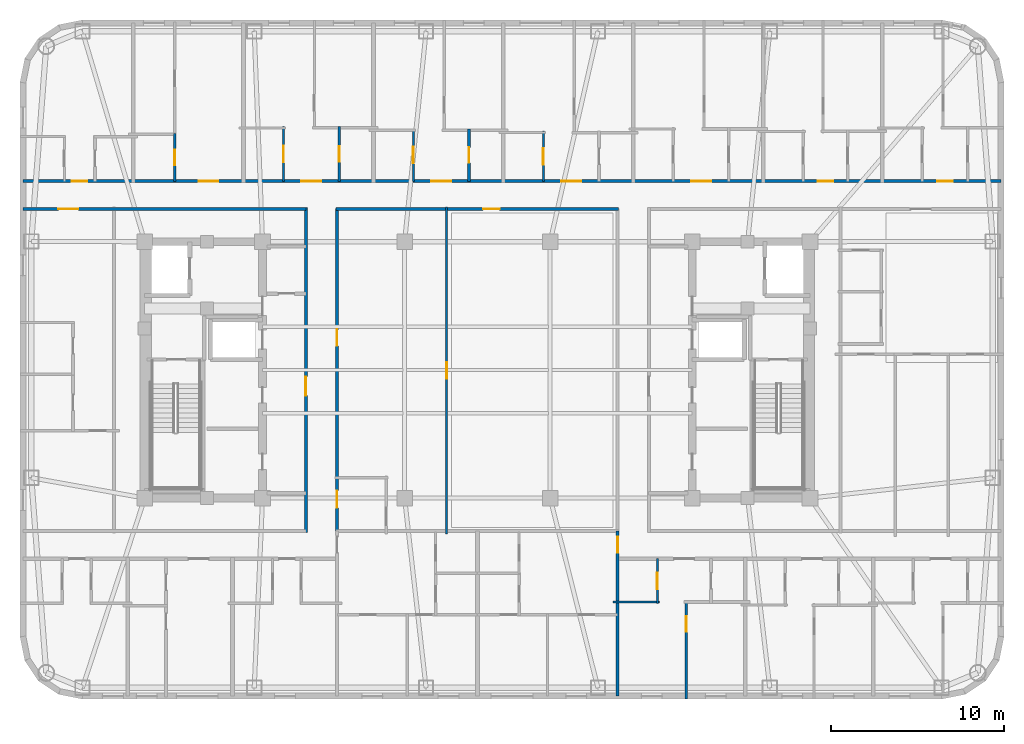
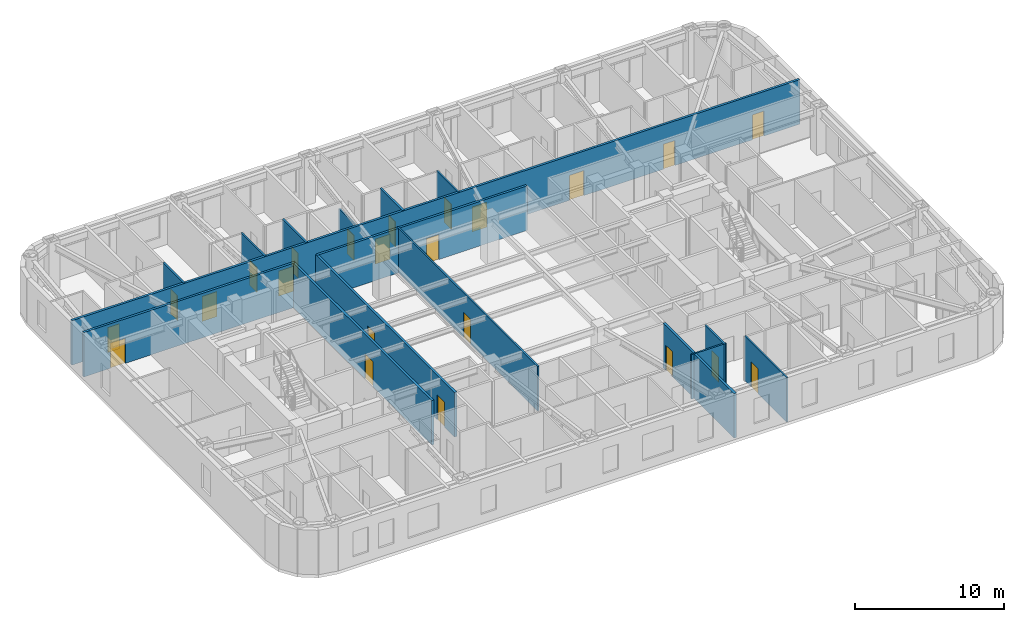
# One storey, part 5 of 11: 23 doors, 16 walls, 23 openings.
"""IFC4 building model written with IfcOpenShell, lengths in metres."""

from ifc_helpers import new_model, si_unit, direction, frame, frame_2d, origin, place, context, subcontext, project, spatial, rectangle, extrude, material, layer, layer_set, type_object, element, fill, save


model = new_model("IFC4")

# Units and contexts
model_context = context("Model", 3, precision=1e-05, world=origin(), true_north=direction((0.0, 1.0)))
body_context = subcontext(model_context, "Body", "Model", "MODEL_VIEW")
ifc_project = project(units=[si_unit("LENGTHUNIT", "METRE"), si_unit("AREAUNIT", "SQUARE_METRE"), si_unit("VOLUMEUNIT", "CUBIC_METRE"), si_unit("PLANEANGLEUNIT", "RADIAN"), si_unit("MASSUNIT", "GRAM", prefix="KILO")], contexts=[model_context])

# Site, building, storey
site_placement = place(None, origin())
site = spatial("IfcSite", under=ifc_project, at=site_placement, CompositionType="ELEMENT")
building_placement = place(site_placement, origin())
building = spatial("IfcBuilding", under=site, at=building_placement, Name="Voryun Gate Residences", CompositionType="ELEMENT")
storey_placement = place(building_placement, frame((0.0, 0.0, 243.10009765625)))
storey = spatial("IfcBuildingStorey", under=building, at=storey_placement, Name="L60", CompositionType="ELEMENT", Elevation=243.10009765625)

# Wall, opening, door
ifc_material_1 = material(Name="Gypsum acoustic fireboard")
ifc_layer_1 = layer(ifc_material_1, 0.179931640625, Name="W_CORR_RATED_180")
ifc_layer_set_1 = layer_set([ifc_layer_1], Name="Gypsum acoustic fireboard")
wall_type_1 = type_object("IfcWallType", Name="W_CORR_RATED_180", PredefinedType="PARTITIONING", material=ifc_layer_set_1)
wall_1_placement = place(storey_placement, frame((-9.89990234375, -9.3798828125, 0.0), z_axis=(0.0, 0.0, 1.0), x_axis=(0.0, 1.0, 0.0)))
wall_1 = element("IfcWall", 1, at=wall_1_placement, inside=storey, type_object=wall_type_1, Name="Partition wall WP-L60-PLBW-FULL", PredefinedType="PARTITIONING", context=body_context, shape_type="SweptSolid", body=[
    extrude(rectangle(XDim=18.759765625, YDim=0.179931640625, at=frame_2d((9.3798828125, 0.0))), origin(), (0.0, 0.0, 1.0), 3.64990234375),
])
opening_1_placement = place(wall_1_placement, frame((7.89208984375, 0.0, 0.0)))
opening_1 = element("IfcOpeningElement", 2, at=opening_1_placement, cuts=wall_1, Name="Opening D-FD60-2", PredefinedType="OPENING", context=body_context, shape_type="SweptSolid", body=[
    extrude(rectangle(XDim=1.10009765625, YDim=2.050048828125, at=frame_2d((0.550048828125, 1.02490234375))), frame((0.0, 0.099853515625, 0.0), z_axis=(0.0, -1.0, 0.0), x_axis=(1.0, 0.0, 0.0)), (0.0, 0.0, 1.0), 0.199951171875),
])
ifc_material_2 = material(Name="Painted steel fire door", Category="steel")
door_type_1 = type_object("IfcDoorType", Name="DR_FD60_FFLOB_1100", OperationType="NOTDEFINED", PredefinedType="DOOR", material=ifc_material_2)
door_1_placement = place(opening_1_placement, origin())
door_1 = element("IfcDoor", 3, at=door_1_placement, inside=storey, type_object=door_type_1, Name="Door DR-L60-PLBW-COR", OperationType="SINGLE_SWING_LEFT", OverallHeight=2.050048828125, OverallWidth=1.10009765625, PredefinedType="DOOR", context=body_context, shape_type="SweptSolid", body=[
    extrude(rectangle(XDim=1.10009765625, YDim=2.050048828125, at=frame_2d((0.550048828125, 1.02490234375))), frame((0.0, 0.02490234375, 0.0), z_axis=(0.0, -1.0, 0.0), x_axis=(1.0, 0.0, 0.0)), (0.0, 0.0, 1.0), 0.050048828125),
])
fill(opening_1, door_1)

wall_2_placement = place(storey_placement, frame((-26.22998046875, 9.2900390625, 0.0), z_axis=(0.0, 0.0, 1.0), x_axis=(1.0, 0.0, 0.0)))
wall_2 = element("IfcWall", 4, at=wall_2_placement, inside=storey, type_object=wall_type_1, Name="Partition wall WP-L60-CWING-WN", PredefinedType="PARTITIONING", context=body_context, shape_type="SweptSolid", body=[
    extrude(rectangle(XDim=16.35009765625, YDim=0.179931640625, at=frame_2d((8.175048828125, 0.0))), origin(), (0.0, 0.0, 1.0), 3.64990234375),
])
opening_2_placement = place(wall_2_placement, frame((2.05078125, 0.0, 0.0)))
opening_2 = element("IfcOpeningElement", 5, at=opening_2_placement, cuts=wall_2, Name="Opening D-UNIT-1", PredefinedType="OPENING", context=body_context, shape_type="SweptSolid", body=[
    extrude(rectangle(XDim=1.14990234375, YDim=2.050048828125, at=frame_2d((0.574951171875, 1.02490234375))), frame((0.0, 0.099853515625, 0.0), z_axis=(0.0, -1.0, 0.0), x_axis=(1.0, 0.0, 0.0)), (0.0, 0.0, 1.0), 0.199951171875),
])
ifc_material_3 = material(Name="Armoured timber-clad fire door", Category="wood")
door_type_2 = type_object("IfcDoorType", Name="DR_UNIT_ENTRY_1150", OperationType="NOTDEFINED", PredefinedType="DOOR", material=ifc_material_3)
door_2_placement = place(opening_2_placement, origin())
door_2 = element("IfcDoor", 6, at=door_2_placement, inside=storey, type_object=door_type_2, Name="Door DR-L60-WE1N", OperationType="SINGLE_SWING_LEFT", OverallHeight=2.050048828125, OverallWidth=1.14990234375, PredefinedType="DOOR", context=body_context, shape_type="SweptSolid", body=[
    extrude(rectangle(XDim=1.14990234375, YDim=2.050048828125, at=frame_2d((0.574951171875, 1.02490234375))), frame((0.0, 0.02490234375, 0.0), z_axis=(0.0, -1.0, 0.0), x_axis=(1.0, 0.0, 0.0)), (0.0, 0.0, 1.0), 0.050048828125),
])
fill(opening_2, door_2)

wall_3_placement = place(storey_placement, frame((-8.14990234375, 9.2900390625, 0.0), z_axis=(0.0, 0.0, 1.0), x_axis=(1.0, 0.0, 0.0)))
wall_3 = element("IfcWall", 7, at=wall_3_placement, inside=storey, type_object=wall_type_1, Name="Partition wall WP-L60-Z3N", PredefinedType="PARTITIONING", context=body_context, shape_type="SweptSolid", body=[
    extrude(rectangle(XDim=16.2998046875, YDim=0.179931640625, at=frame_2d((8.14990234375, 0.0))), origin(), (0.0, 0.0, 1.0), 3.64990234375),
])
opening_3_placement = place(wall_3_placement, frame((8.489990234375, 0.0, 0.0)))
opening_3 = element("IfcOpeningElement", 8, at=opening_3_placement, cuts=wall_3, Name="Opening D-INT-1", PredefinedType="OPENING", context=body_context, shape_type="SweptSolid", body=[
    extrude(rectangle(XDim=0.949951171875, YDim=2.050048828125, at=frame_2d((0.47509765625, 1.02490234375))), frame((0.0, 0.099853515625, 0.0), z_axis=(0.0, -1.0, 0.0), x_axis=(1.0, 0.0, 0.0)), (0.0, 0.0, 1.0), 0.199951171875),
])
ifc_material_4 = material(Name="Architectural oak veneer")
door_type_3 = type_object("IfcDoorType", Name="DR_INT_ROOM_950", OperationType="NOTDEFINED", PredefinedType="DOOR", material=ifc_material_4)
door_3_placement = place(opening_3_placement, origin())
door_3 = element("IfcDoor", 9, at=door_3_placement, inside=storey, type_object=door_type_3, Name="Door DR-L60-CMIDZ3N", OperationType="SINGLE_SWING_LEFT", OverallHeight=2.050048828125, OverallWidth=0.949951171875, PredefinedType="DOOR", context=body_context, shape_type="SweptSolid", body=[
    extrude(rectangle(XDim=0.949951171875, YDim=2.050048828125, at=frame_2d((0.47509765625, 1.02490234375))), frame((0.0, 0.02490234375, 0.0), z_axis=(0.0, -1.0, 0.0), x_axis=(1.0, 0.0, 0.0)), (0.0, 0.0, 1.0), 0.050048828125),
])
fill(opening_3, door_3)

# Wall, openings, doors
wall_4_placement = place(storey_placement, frame((-8.10009765625, -9.330078125, 0.0), z_axis=(0.0, 0.0, 1.0), x_axis=(0.0, 1.0, 0.0)))
wall_4 = element("IfcWall", 10, at=wall_4_placement, inside=storey, type_object=wall_type_1, Name="Partition wall WP-L60-Z3W", PredefinedType="PARTITIONING", context=body_context, shape_type="SweptSolid", body=[
    extrude(rectangle(XDim=18.66015625, YDim=0.179931640625, at=frame_2d((9.330078125, 0.0))), origin(), (0.0, 0.0, 1.0), 3.64990234375),
])
opening_4_placement = place(wall_4_placement, frame((1.365966796875, 0.0, 0.0)))
opening_4 = element("IfcOpeningElement", 11, at=opening_4_placement, cuts=wall_4, Name="Opening D-AWC-1", PredefinedType="OPENING", context=body_context, shape_type="SweptSolid", body=[
    extrude(rectangle(XDim=1.0, YDim=2.050048828125, at=frame_2d((0.5, 1.02490234375))), frame((0.0, 0.099853515625, 0.0), z_axis=(0.0, -1.0, 0.0), x_axis=(1.0, 0.0, 0.0)), (0.0, 0.0, 1.0), 0.199951171875),
])
opening_5_placement = place(wall_4_placement, frame((10.720947265625, 0.0, 0.0)))
opening_5 = element("IfcOpeningElement", 12, at=opening_5_placement, cuts=wall_4, Name="Opening D-INT-1", PredefinedType="OPENING", context=body_context, shape_type="SweptSolid", body=[
    extrude(rectangle(XDim=0.949951171875, YDim=2.050048828125, at=frame_2d((0.47509765625, 1.02490234375))), frame((0.0, 0.099853515625, 0.0), z_axis=(0.0, -1.0, 0.0), x_axis=(1.0, 0.0, 0.0)), (0.0, 0.0, 1.0), 0.199951171875),
])
ifc_material_5 = material(Name="Architectural oak veneer")
door_type_4 = type_object("IfcDoorType", Name="DR_ACC_WC_1000", OperationType="NOTDEFINED", PredefinedType="DOOR", material=ifc_material_5)
door_4_placement = place(opening_4_placement, origin())
door_4 = element("IfcDoor", 13, at=door_4_placement, inside=storey, type_object=door_type_4, Name="Door DR-L60-CMWC-D", OperationType="SINGLE_SWING_LEFT", OverallHeight=2.050048828125, OverallWidth=1.0, PredefinedType="DOOR", context=body_context, shape_type="SweptSolid", body=[
    extrude(rectangle(XDim=1.0, YDim=2.050048828125, at=frame_2d((0.5, 1.02490234375))), frame((0.0, 0.02490234375, 0.0), z_axis=(0.0, -1.0, 0.0), x_axis=(1.0, 0.0, 0.0)), (0.0, 0.0, 1.0), 0.050048828125),
])
fill(opening_4, door_4)
door_5_placement = place(opening_5_placement, origin())
door_5 = element("IfcDoor", 14, at=door_5_placement, inside=storey, type_object=door_type_3, Name="Door DR-L60-CMIDZ3W", OperationType="SINGLE_SWING_RIGHT", OverallHeight=2.050048828125, OverallWidth=0.949951171875, PredefinedType="DOOR", context=body_context, shape_type="SweptSolid", body=[
    extrude(rectangle(XDim=0.949951171875, YDim=2.050048828125, at=frame_2d((0.47509765625, 1.02490234375))), frame((0.0, 0.02490234375, 0.0), z_axis=(0.0, -1.0, 0.0), x_axis=(1.0, 0.0, 0.0)), (0.0, 0.0, 1.0), 0.050048828125),
])
fill(opening_5, door_5)

wall_5_placement = place(storey_placement, frame((-26.22998046875, 10.89990234375, 0.0), z_axis=(0.0, 0.0, 1.0), x_axis=(1.0, 0.0, 0.0)))
wall_5 = element("IfcWall", 15, at=wall_5_placement, inside=storey, type_object=wall_type_1, Name="Partition wall WP-L60-NCORR", PredefinedType="PARTITIONING", context=body_context, shape_type="SweptSolid", body=[
    extrude(rectangle(XDim=56.4599609375, YDim=0.179931640625, at=frame_2d((28.22998046875, 0.0))), origin(), (0.0, 0.0, 1.0), 3.64990234375),
])
opening_6_placement = place(wall_5_placement, frame((2.82470703125, 0.0, 0.0)))
opening_6 = element("IfcOpeningElement", 16, at=opening_6_placement, cuts=wall_5, Name="Opening D-INT-2", PredefinedType="OPENING", context=body_context, shape_type="SweptSolid", body=[
    extrude(rectangle(XDim=0.89990234375, YDim=2.050048828125, at=frame_2d((0.449951171875, 1.02490234375))), frame((0.0, 0.099853515625, 0.0), z_axis=(0.0, -1.0, 0.0), x_axis=(1.0, 0.0, 0.0)), (0.0, 0.0, 1.0), 0.199951171875),
])
opening_7_placement = place(wall_5_placement, frame((10.135498046875, 0.0, 0.0)))
opening_7 = element("IfcOpeningElement", 17, at=opening_7_placement, cuts=wall_5, Name="Opening D-UNIT-1", PredefinedType="OPENING", context=body_context, shape_type="SweptSolid", body=[
    extrude(rectangle(XDim=1.14990234375, YDim=2.050048828125, at=frame_2d((0.574951171875, 1.02490234375))), frame((0.0, 0.099853515625, 0.0), z_axis=(0.0, -1.0, 0.0), x_axis=(1.0, 0.0, 0.0)), (0.0, 0.0, 1.0), 0.199951171875),
])
opening_8_placement = place(wall_5_placement, frame((16.0693359375, 0.0, 0.0)))
opening_8 = element("IfcOpeningElement", 18, at=opening_8_placement, cuts=wall_5, Name="Opening D-UNIT-1", PredefinedType="OPENING", context=body_context, shape_type="SweptSolid", body=[
    extrude(rectangle(XDim=1.14990234375, YDim=2.050048828125, at=frame_2d((0.574951171875, 1.02490234375))), frame((0.0, 0.099853515625, 0.0), z_axis=(0.0, -1.0, 0.0), x_axis=(1.0, 0.0, 0.0)), (0.0, 0.0, 1.0), 0.199951171875),
])
opening_9_placement = place(wall_5_placement, frame((23.5673828125, 0.0, 0.0)))
opening_9 = element("IfcOpeningElement", 19, at=opening_9_placement, cuts=wall_5, Name="Opening D-UNIT-1", PredefinedType="OPENING", context=body_context, shape_type="SweptSolid", body=[
    extrude(rectangle(XDim=1.14990234375, YDim=2.050048828125, at=frame_2d((0.574951171875, 1.02490234375))), frame((0.0, 0.099853515625, 0.0), z_axis=(0.0, -1.0, 0.0), x_axis=(1.0, 0.0, 0.0)), (0.0, 0.0, 1.0), 0.199951171875),
])
opening_10_placement = place(wall_5_placement, frame((31.07080078125, 0.0, 0.0)))
opening_10 = element("IfcOpeningElement", 20, at=opening_10_placement, cuts=wall_5, Name="Opening D-UNIT-1", PredefinedType="OPENING", context=body_context, shape_type="SweptSolid", body=[
    extrude(rectangle(XDim=1.14990234375, YDim=2.050048828125, at=frame_2d((0.574951171875, 1.02490234375))), frame((0.0, 0.099853515625, 0.0), z_axis=(0.0, -1.0, 0.0), x_axis=(1.0, 0.0, 0.0)), (0.0, 0.0, 1.0), 0.199951171875),
])
opening_11_placement = place(wall_5_placement, frame((38.568603515625, 0.0, 0.0)))
opening_11 = element("IfcOpeningElement", 21, at=opening_11_placement, cuts=wall_5, Name="Opening D-UNIT-1", PredefinedType="OPENING", context=body_context, shape_type="SweptSolid", body=[
    extrude(rectangle(XDim=1.14990234375, YDim=2.050048828125, at=frame_2d((0.574951171875, 1.02490234375))), frame((0.0, 0.099853515625, 0.0), z_axis=(0.0, -1.0, 0.0), x_axis=(1.0, 0.0, 0.0)), (0.0, 0.0, 1.0), 0.199951171875),
])
opening_12_placement = place(wall_5_placement, frame((45.881103515625, 0.0, 0.0)))
opening_12 = element("IfcOpeningElement", 22, at=opening_12_placement, cuts=wall_5, Name="Opening D-INT-2", PredefinedType="OPENING", context=body_context, shape_type="SweptSolid", body=[
    extrude(rectangle(XDim=0.89990234375, YDim=2.050048828125, at=frame_2d((0.449951171875, 1.02490234375))), frame((0.0, 0.099853515625, 0.0), z_axis=(0.0, -1.0, 0.0), x_axis=(1.0, 0.0, 0.0)), (0.0, 0.0, 1.0), 0.199951171875),
])
opening_13_placement = place(wall_5_placement, frame((52.77490234375, 0.0, 0.0)))
opening_13 = element("IfcOpeningElement", 23, at=opening_13_placement, cuts=wall_5, Name="Opening D-INT-2", PredefinedType="OPENING", context=body_context, shape_type="SweptSolid", body=[
    extrude(rectangle(XDim=0.89990234375, YDim=2.050048828125, at=frame_2d((0.449951171875, 1.02490234375))), frame((0.0, 0.099853515625, 0.0), z_axis=(0.0, -1.0, 0.0), x_axis=(1.0, 0.0, 0.0)), (0.0, 0.0, 1.0), 0.199951171875),
])
ifc_material_6 = material(Name="Architectural oak veneer")
door_type_5 = type_object("IfcDoorType", Name="DR_INT_BATH_900", OperationType="NOTDEFINED", PredefinedType="DOOR", material=ifc_material_6)
door_6_placement = place(opening_6_placement, origin())
door_6 = element("IfcDoor", 24, at=door_6_placement, inside=storey, type_object=door_type_5, Name="Door DR-L60-NENT-1", OperationType="SINGLE_SWING_LEFT", OverallHeight=2.050048828125, OverallWidth=0.89990234375, PredefinedType="DOOR", context=body_context, shape_type="SweptSolid", body=[
    extrude(rectangle(XDim=0.89990234375, YDim=2.050048828125, at=frame_2d((0.449951171875, 1.02490234375))), frame((0.0, 0.02490234375, 0.0), z_axis=(0.0, -1.0, 0.0), x_axis=(1.0, 0.0, 0.0)), (0.0, 0.0, 1.0), 0.050048828125),
])
fill(opening_6, door_6)
door_7_placement = place(opening_12_placement, origin())
door_7 = element("IfcDoor", 25, at=door_7_placement, inside=storey, type_object=door_type_5, Name="Door DR-L60-NENT-7", OperationType="SINGLE_SWING_LEFT", OverallHeight=2.050048828125, OverallWidth=0.89990234375, PredefinedType="DOOR", context=body_context, shape_type="SweptSolid", body=[
    extrude(rectangle(XDim=0.89990234375, YDim=2.050048828125, at=frame_2d((0.449951171875, 1.02490234375))), frame((0.0, 0.02490234375, 0.0), z_axis=(0.0, -1.0, 0.0), x_axis=(1.0, 0.0, 0.0)), (0.0, 0.0, 1.0), 0.050048828125),
])
fill(opening_12, door_7)
door_8_placement = place(opening_13_placement, origin())
door_8 = element("IfcDoor", 26, at=door_8_placement, inside=storey, type_object=door_type_5, Name="Door DR-L60-NENT-8", OperationType="SINGLE_SWING_RIGHT", OverallHeight=2.050048828125, OverallWidth=0.89990234375, PredefinedType="DOOR", context=body_context, shape_type="SweptSolid", body=[
    extrude(rectangle(XDim=0.89990234375, YDim=2.050048828125, at=frame_2d((0.449951171875, 1.02490234375))), frame((0.0, 0.02490234375, 0.0), z_axis=(0.0, -1.0, 0.0), x_axis=(1.0, 0.0, 0.0)), (0.0, 0.0, 1.0), 0.050048828125),
])
fill(opening_13, door_8)
door_9_placement = place(opening_7_placement, origin())
door_9 = element("IfcDoor", 27, at=door_9_placement, inside=storey, type_object=door_type_2, Name="Door DR-L60-NENT-2", OperationType="SINGLE_SWING_RIGHT", OverallHeight=2.050048828125, OverallWidth=1.14990234375, PredefinedType="DOOR", context=body_context, shape_type="SweptSolid", body=[
    extrude(rectangle(XDim=1.14990234375, YDim=2.050048828125, at=frame_2d((0.574951171875, 1.02490234375))), frame((0.0, 0.02490234375, 0.0), z_axis=(0.0, -1.0, 0.0), x_axis=(1.0, 0.0, 0.0)), (0.0, 0.0, 1.0), 0.050048828125),
])
fill(opening_7, door_9)
door_10_placement = place(opening_8_placement, origin())
door_10 = element("IfcDoor", 28, at=door_10_placement, inside=storey, type_object=door_type_2, Name="Door DR-L60-NENT-3", OperationType="SINGLE_SWING_LEFT", OverallHeight=2.050048828125, OverallWidth=1.14990234375, PredefinedType="DOOR", context=body_context, shape_type="SweptSolid", body=[
    extrude(rectangle(XDim=1.14990234375, YDim=2.050048828125, at=frame_2d((0.574951171875, 1.02490234375))), frame((0.0, 0.02490234375, 0.0), z_axis=(0.0, -1.0, 0.0), x_axis=(1.0, 0.0, 0.0)), (0.0, 0.0, 1.0), 0.050048828125),
])
fill(opening_8, door_10)
door_11_placement = place(opening_9_placement, origin())
door_11 = element("IfcDoor", 29, at=door_11_placement, inside=storey, type_object=door_type_2, Name="Door DR-L60-NENT-4", OperationType="SINGLE_SWING_RIGHT", OverallHeight=2.050048828125, OverallWidth=1.14990234375, PredefinedType="DOOR", context=body_context, shape_type="SweptSolid", body=[
    extrude(rectangle(XDim=1.14990234375, YDim=2.050048828125, at=frame_2d((0.574951171875, 1.02490234375))), frame((0.0, 0.02490234375, 0.0), z_axis=(0.0, -1.0, 0.0), x_axis=(1.0, 0.0, 0.0)), (0.0, 0.0, 1.0), 0.050048828125),
])
fill(opening_9, door_11)
door_12_placement = place(opening_10_placement, origin())
door_12 = element("IfcDoor", 30, at=door_12_placement, inside=storey, type_object=door_type_2, Name="Door DR-L60-NENT-5", OperationType="SINGLE_SWING_LEFT", OverallHeight=2.050048828125, OverallWidth=1.14990234375, PredefinedType="DOOR", context=body_context, shape_type="SweptSolid", body=[
    extrude(rectangle(XDim=1.14990234375, YDim=2.050048828125, at=frame_2d((0.574951171875, 1.02490234375))), frame((0.0, 0.02490234375, 0.0), z_axis=(0.0, -1.0, 0.0), x_axis=(1.0, 0.0, 0.0)), (0.0, 0.0, 1.0), 0.050048828125),
])
fill(opening_10, door_12)
door_13_placement = place(opening_11_placement, origin())
door_13 = element("IfcDoor", 31, at=door_13_placement, inside=storey, type_object=door_type_2, Name="Door DR-L60-NENT-6", OperationType="SINGLE_SWING_RIGHT", OverallHeight=2.050048828125, OverallWidth=1.14990234375, PredefinedType="DOOR", context=body_context, shape_type="SweptSolid", body=[
    extrude(rectangle(XDim=1.14990234375, YDim=2.050048828125, at=frame_2d((0.574951171875, 1.02490234375))), frame((0.0, 0.02490234375, 0.0), z_axis=(0.0, -1.0, 0.0), x_axis=(1.0, 0.0, 0.0)), (0.0, 0.0, 1.0), 0.050048828125),
])
fill(opening_11, door_13)

# Wall, opening, door
wall_6_placement = place(storey_placement, frame((8.10009765625, -18.830078125, 0.0), z_axis=(0.0, 0.0, 1.0), x_axis=(0.0, 1.0, 0.0)))
wall_6 = element("IfcWall", 32, at=wall_6_placement, inside=storey, type_object=wall_type_1, Name="Partition wall WP-L60-SZV-2", PredefinedType="PARTITIONING", context=body_context, shape_type="SweptSolid", body=[
    extrude(rectangle(XDim=9.5400390625, YDim=0.179931640625, at=frame_2d((4.77001953125, 0.0))), origin(), (0.0, 0.0, 1.0), 3.64990234375),
])
opening_14_placement = place(wall_6_placement, frame((8.28955078125, 0.0, 0.0)))
opening_14 = element("IfcOpeningElement", 33, at=opening_14_placement, cuts=wall_6, Name="Opening D-INT-2", PredefinedType="OPENING", context=body_context, shape_type="SweptSolid", body=[
    extrude(rectangle(XDim=0.89990234375, YDim=2.050048828125, at=frame_2d((0.449951171875, 1.02490234375))), frame((0.0, 0.099853515625, 0.0), z_axis=(0.0, -1.0, 0.0), x_axis=(1.0, 0.0, 0.0)), (0.0, 0.0, 1.0), 0.199951171875),
])
door_14_placement = place(opening_14_placement, origin())
door_14 = element("IfcDoor", 34, at=door_14_placement, inside=storey, type_object=door_type_5, Name="Door DR-L60-SZENT-2", OperationType="SINGLE_SWING_RIGHT", OverallHeight=2.050048828125, OverallWidth=0.89990234375, PredefinedType="DOOR", context=body_context, shape_type="SweptSolid", body=[
    extrude(rectangle(XDim=0.89990234375, YDim=2.050048828125, at=frame_2d((0.449951171875, 1.02490234375))), frame((0.0, 0.02490234375, 0.0), z_axis=(0.0, -1.0, 0.0), x_axis=(1.0, 0.0, 0.0)), (0.0, 0.0, 1.0), 0.050048828125),
])
fill(opening_14, door_14)

ifc_material_7 = material(Name="Gypsum acoustic partition")
ifc_layer_2 = layer(ifc_material_7, 0.125, Name="W_UNIT_PART_125")
ifc_layer_set_2 = layer_set([ifc_layer_2], Name="Gypsum acoustic partition")
wall_type_2 = type_object("IfcWallType", Name="W_UNIT_PART_125", PredefinedType="PARTITIONING", material=ifc_layer_set_2)
wall_7_placement = place(storey_placement, frame((-1.77294921875, -9.469970703125, 0.0), z_axis=(0.0, 0.0, 1.0), x_axis=(0.0, 1.0, 0.0)))
wall_7 = element("IfcWall", 35, at=wall_7_placement, inside=storey, type_object=wall_type_2, Name="Partition wall WP-L60-MIDX-0", PredefinedType="PARTITIONING", context=body_context, shape_type="SweptSolid", body=[
    extrude(rectangle(XDim=18.889892578125, YDim=0.125, at=frame_2d((9.44482421875, 0.0))), origin(), (0.0, 0.0, 1.0), 3.64990234375),
])
opening_15_placement = place(wall_7_placement, frame((8.969970703125, 0.0, 0.0)))
opening_15 = element("IfcOpeningElement", 36, at=opening_15_placement, cuts=wall_7, Name="Opening D-INT-1", PredefinedType="OPENING", context=body_context, shape_type="SweptSolid", body=[
    extrude(rectangle(XDim=0.949951171875, YDim=2.050048828125, at=frame_2d((0.47509765625, 1.02490234375))), frame((0.0, 0.072509765625, 0.0), z_axis=(0.0, -1.0, 0.0), x_axis=(1.0, 0.0, 0.0)), (0.0, 0.0, 1.0), 0.14501953125),
])
door_15_placement = place(opening_15_placement, origin())
door_15 = element("IfcDoor", 37, at=door_15_placement, inside=storey, type_object=door_type_3, Name="Door DR-L60-MIDX-0", OperationType="SINGLE_SWING_LEFT", OverallHeight=2.050048828125, OverallWidth=0.949951171875, PredefinedType="DOOR", context=body_context, shape_type="SweptSolid", body=[
    extrude(rectangle(XDim=0.949951171875, YDim=2.050048828125, at=frame_2d((0.47509765625, 1.02490234375))), frame((0.0, 0.02490234375, 0.0), z_axis=(0.0, -1.0, 0.0), x_axis=(1.0, 0.0, 0.0)), (0.0, 0.0, 1.0), 0.050048828125),
])
fill(opening_15, door_15)

wall_8_placement = place(storey_placement, frame((-11.18994140625, 10.8798828125, 0.0), z_axis=(0.0, 0.0, 1.0), x_axis=(0.0, 1.0, 0.0)))
wall_8 = element("IfcWall", 38, at=wall_8_placement, inside=storey, type_object=wall_type_2, Name="Partition wall WP-L60-N3-IVK", PredefinedType="PARTITIONING", context=body_context, shape_type="SweptSolid", body=[
    extrude(rectangle(XDim=3.174072265625, YDim=0.125, at=frame_2d((1.5869140625, 0.0))), origin(), (0.0, 0.0, 1.0), 3.64990234375),
])
opening_16_placement = place(wall_8_placement, frame((1.112060546875, 0.0, 0.0)))
opening_16 = element("IfcOpeningElement", 39, at=opening_16_placement, cuts=wall_8, Name="Opening D-INT-1", PredefinedType="OPENING", context=body_context, shape_type="SweptSolid", body=[
    extrude(rectangle(XDim=0.949951171875, YDim=2.050048828125, at=frame_2d((0.47509765625, 1.02490234375))), frame((0.0, 0.072509765625, 0.0), z_axis=(0.0, -1.0, 0.0), x_axis=(1.0, 0.0, 0.0)), (0.0, 0.0, 1.0), 0.14501953125),
])
door_16_placement = place(opening_16_placement, origin())
door_16 = element("IfcDoor", 40, at=door_16_placement, inside=storey, type_object=door_type_3, Name="Door DR-L60-N3-DK", OperationType="SINGLE_SWING_LEFT", OverallHeight=2.050048828125, OverallWidth=0.949951171875, PredefinedType="DOOR", context=body_context, shape_type="SweptSolid", body=[
    extrude(rectangle(XDim=0.949951171875, YDim=2.050048828125, at=frame_2d((0.47509765625, 1.02490234375))), frame((0.0, 0.02490234375, 0.0), z_axis=(0.0, -1.0, 0.0), x_axis=(1.0, 0.0, 0.0)), (0.0, 0.0, 1.0), 0.050048828125),
])
fill(opening_16, door_16)

wall_9_placement = place(storey_placement, frame((-3.68994140625, 10.8798828125, 0.0), z_axis=(0.0, 0.0, 1.0), x_axis=(0.0, 1.0, 0.0)))
wall_9 = element("IfcWall", 41, at=wall_9_placement, inside=storey, type_object=wall_type_2, Name="Partition wall WP-L60-N4-IVK", PredefinedType="PARTITIONING", context=body_context, shape_type="SweptSolid", body=[
    extrude(rectangle(XDim=3.037109375, YDim=0.125, at=frame_2d((1.5185546875, 0.0))), origin(), (0.0, 0.0, 1.0), 3.08984375),
])
opening_17_placement = place(wall_9_placement, frame((1.04345703125, 0.0, 0.0)))
opening_17 = element("IfcOpeningElement", 42, at=opening_17_placement, cuts=wall_9, Name="Opening D-INT-1", PredefinedType="OPENING", context=body_context, shape_type="SweptSolid", body=[
    extrude(rectangle(XDim=0.949951171875, YDim=2.050048828125, at=frame_2d((0.47509765625, 1.02490234375))), frame((0.0, 0.072509765625, 0.0), z_axis=(0.0, -1.0, 0.0), x_axis=(1.0, 0.0, 0.0)), (0.0, 0.0, 1.0), 0.14501953125),
])
door_17_placement = place(opening_17_placement, origin())
door_17 = element("IfcDoor", 43, at=door_17_placement, inside=storey, type_object=door_type_3, Name="Door DR-L60-N4-DK", OperationType="SINGLE_SWING_LEFT", OverallHeight=2.050048828125, OverallWidth=0.949951171875, PredefinedType="DOOR", context=body_context, shape_type="SweptSolid", body=[
    extrude(rectangle(XDim=0.949951171875, YDim=2.050048828125, at=frame_2d((0.47509765625, 1.02490234375))), frame((0.0, 0.02490234375, 0.0), z_axis=(0.0, -1.0, 0.0), x_axis=(1.0, 0.0, 0.0)), (0.0, 0.0, 1.0), 0.050048828125),
])
fill(opening_17, door_17)

wall_10_placement = place(storey_placement, frame((3.81005859375, 10.8798828125, 0.0), z_axis=(0.0, 0.0, 1.0), x_axis=(0.0, 1.0, 0.0)))
wall_10 = element("IfcWall", 44, at=wall_10_placement, inside=storey, type_object=wall_type_2, Name="Partition wall WP-L60-N5-IVK", PredefinedType="PARTITIONING", context=body_context, shape_type="SweptSolid", body=[
    extrude(rectangle(XDim=2.901123046875, YDim=0.125, at=frame_2d((1.45068359375, 0.0))), origin(), (0.0, 0.0, 1.0), 3.64990234375),
])
opening_18_placement = place(wall_10_placement, frame((0.9755859375, 0.0, 0.0)))
opening_18 = element("IfcOpeningElement", 45, at=opening_18_placement, cuts=wall_10, Name="Opening D-INT-1", PredefinedType="OPENING", context=body_context, shape_type="SweptSolid", body=[
    extrude(rectangle(XDim=0.949951171875, YDim=2.050048828125, at=frame_2d((0.47509765625, 1.02490234375))), frame((0.0, 0.072509765625, 0.0), z_axis=(0.0, -1.0, 0.0), x_axis=(1.0, 0.0, 0.0)), (0.0, 0.0, 1.0), 0.14501953125),
])
door_18_placement = place(opening_18_placement, origin())
door_18 = element("IfcDoor", 46, at=door_18_placement, inside=storey, type_object=door_type_3, Name="Door DR-L60-N5-DK", OperationType="SINGLE_SWING_LEFT", OverallHeight=2.050048828125, OverallWidth=0.949951171875, PredefinedType="DOOR", context=body_context, shape_type="SweptSolid", body=[
    extrude(rectangle(XDim=0.949951171875, YDim=2.050048828125, at=frame_2d((0.47509765625, 1.02490234375))), frame((0.0, 0.02490234375, 0.0), z_axis=(0.0, -1.0, 0.0), x_axis=(1.0, 0.0, 0.0)), (0.0, 0.0, 1.0), 0.050048828125),
])
fill(opening_18, door_18)

wall_11_placement = place(storey_placement, frame((12.055908203125, -18.97998046875, 0.0), z_axis=(0.0, 0.0, 1.0), x_axis=(0.0, 1.0, 0.0)))
wall_11 = element("IfcWall", 47, at=wall_11_placement, inside=storey, type_object=wall_type_2, Name="Partition wall WP-L60-S5-OVR", PredefinedType="PARTITIONING", context=body_context, shape_type="SweptSolid", body=[
    extrude(rectangle(XDim=5.666015625, YDim=0.125, at=frame_2d((2.8330078125, 0.0))), origin(), (0.0, 0.0, 1.0), 3.64990234375),
])
opening_19_placement = place(wall_11_placement, frame((3.856201171875, 0.0, 0.0)))
opening_19 = element("IfcOpeningElement", 48, at=opening_19_placement, cuts=wall_11, Name="Opening D-INT-2", PredefinedType="OPENING", context=body_context, shape_type="SweptSolid", body=[
    extrude(rectangle(XDim=0.89990234375, YDim=2.050048828125, at=frame_2d((0.449951171875, 1.02490234375))), frame((0.0, 0.072509765625, 0.0), z_axis=(0.0, -1.0, 0.0), x_axis=(1.0, 0.0, 0.0)), (0.0, 0.0, 1.0), 0.14501953125),
])
door_19_placement = place(opening_19_placement, origin())
door_19 = element("IfcDoor", 49, at=door_19_placement, inside=storey, type_object=door_type_5, Name="Door DR-L60-S5-DMB", OperationType="SINGLE_SWING_RIGHT", OverallHeight=2.050048828125, OverallWidth=0.89990234375, PredefinedType="DOOR", context=body_context, shape_type="SweptSolid", body=[
    extrude(rectangle(XDim=0.89990234375, YDim=2.050048828125, at=frame_2d((0.449951171875, 1.02490234375))), frame((0.0, 0.02490234375, 0.0), z_axis=(0.0, -1.0, 0.0), x_axis=(1.0, 0.0, 0.0)), (0.0, 0.0, 1.0), 0.050048828125),
])
fill(opening_19, door_19)

wall_12_placement = place(storey_placement, frame((10.389892578125, -13.47412109375, 0.0), z_axis=(0.0, 0.0, 1.0), x_axis=(0.0, 1.0, 0.0)))
wall_12 = element("IfcWall", 50, at=wall_12_placement, inside=storey, type_object=wall_type_2, Name="Partition wall WP-L60-S5-IVK", PredefinedType="PARTITIONING", context=body_context, shape_type="SweptSolid", body=[
    extrude(rectangle(XDim=2.59423828125, YDim=0.125, at=frame_2d((1.297119140625, 0.0))), origin(), (0.0, 0.0, 1.0), 3.64990234375),
])
opening_20_placement = place(wall_12_placement, frame((0.822021484375, 0.0, 0.0)))
opening_20 = element("IfcOpeningElement", 51, at=opening_20_placement, cuts=wall_12, Name="Opening D-INT-1", PredefinedType="OPENING", context=body_context, shape_type="SweptSolid", body=[
    extrude(rectangle(XDim=0.949951171875, YDim=2.050048828125, at=frame_2d((0.47509765625, 1.02490234375))), frame((0.0, 0.072509765625, 0.0), z_axis=(0.0, -1.0, 0.0), x_axis=(1.0, 0.0, 0.0)), (0.0, 0.0, 1.0), 0.14501953125),
])
door_20_placement = place(opening_20_placement, origin())
door_20 = element("IfcDoor", 52, at=door_20_placement, inside=storey, type_object=door_type_3, Name="Door DR-L60-S5-DK", OperationType="SINGLE_SWING_LEFT", OverallHeight=2.050048828125, OverallWidth=0.949951171875, PredefinedType="DOOR", context=body_context, shape_type="SweptSolid", body=[
    extrude(rectangle(XDim=0.949951171875, YDim=2.050048828125, at=frame_2d((0.47509765625, 1.02490234375))), frame((0.0, 0.02490234375, 0.0), z_axis=(0.0, -1.0, 0.0), x_axis=(1.0, 0.0, 0.0)), (0.0, 0.0, 1.0), 0.050048828125),
])
fill(opening_20, door_20)

# Wall
wall_13_placement = place(storey_placement, frame((7.820068359375, -13.39404296875, 0.0), z_axis=(0.0, 0.0, 1.0), x_axis=(1.0, 0.0, 0.0)))
element("IfcWall", 53, at=wall_13_placement, inside=storey, type_object=wall_type_2, Name="Partition wall WP-L60-S5-HZK", PredefinedType="PARTITIONING", context=body_context, shape_type="SweptSolid", body=[
    extrude(rectangle(XDim=2.68994140625, YDim=0.125, at=frame_2d((1.344970703125, 0.0))), origin(), (0.0, 0.0, 1.0), 3.64990234375),
])

# Wall, opening, door
ifc_material_8 = material(Name="Gypsum moisture-resistant partition")
ifc_layer_3 = layer(ifc_material_8, 0.14990234375, Name="W_WET_PLUMB_150")
ifc_layer_set_3 = layer_set([ifc_layer_3], Name="Gypsum moisture-resistant partition")
wall_type_3 = type_object("IfcWallType", Name="W_WET_PLUMB_150", PredefinedType="PLUMBINGWALL", material=ifc_layer_set_3)
wall_14_placement = place(storey_placement, frame((-17.47705078125, 10.8798828125, 0.0), z_axis=(0.0, 0.0, 1.0), x_axis=(0.0, 1.0, 0.0)))
wall_14 = element("IfcWall", 54, at=wall_14_placement, inside=storey, type_object=wall_type_3, Name="Partition wall WP-L60-N2-SVT1", PredefinedType="PLUMBINGWALL", context=body_context, shape_type="SweptSolid", body=[
    extrude(rectangle(XDim=2.760009765625, YDim=0.14990234375, at=frame_2d((1.3798828125, 0.0))), origin(), (0.0, 0.0, 1.0), 3.64990234375),
])
opening_21_placement = place(wall_14_placement, frame((0.929931640625, 0.0, 0.0)))
opening_21 = element("IfcOpeningElement", 55, at=opening_21_placement, cuts=wall_14, Name="Opening D-INT-2", PredefinedType="OPENING", context=body_context, shape_type="SweptSolid", body=[
    extrude(rectangle(XDim=0.89990234375, YDim=2.050048828125, at=frame_2d((0.449951171875, 1.02490234375))), frame((0.0, 0.0849609375, 0.0), z_axis=(0.0, -1.0, 0.0), x_axis=(1.0, 0.0, 0.0)), (0.0, 0.0, 1.0), 0.169921875),
])
door_21_placement = place(opening_21_placement, origin())
door_21 = element("IfcDoor", 56, at=door_21_placement, inside=storey, type_object=door_type_5, Name="Door DR-L60-N2-DB", OperationType="SINGLE_SWING_LEFT", OverallHeight=2.050048828125, OverallWidth=0.89990234375, PredefinedType="DOOR", context=body_context, shape_type="SweptSolid", body=[
    extrude(rectangle(XDim=0.89990234375, YDim=2.050048828125, at=frame_2d((0.449951171875, 1.02490234375))), frame((0.0, 0.02490234375, 0.0), z_axis=(0.0, -1.0, 0.0), x_axis=(1.0, 0.0, 0.0)), (0.0, 0.0, 1.0), 0.050048828125),
])
fill(opening_21, door_21)

wall_15_placement = place(storey_placement, frame((-7.97998046875, 10.8798828125, 0.0), z_axis=(0.0, 0.0, 1.0), x_axis=(0.0, 1.0, 0.0)))
wall_15 = element("IfcWall", 57, at=wall_15_placement, inside=storey, type_object=wall_type_3, Name="Partition wall WP-L60-N3-IVB", PredefinedType="PLUMBINGWALL", context=body_context, shape_type="SweptSolid", body=[
    extrude(rectangle(XDim=3.174072265625, YDim=0.14990234375, at=frame_2d((1.5869140625, 0.0))), origin(), (0.0, 0.0, 1.0), 3.64990234375),
])
opening_22_placement = place(wall_15_placement, frame((1.136962890625, 0.0, 0.0)))
opening_22 = element("IfcOpeningElement", 58, at=opening_22_placement, cuts=wall_15, Name="Opening D-INT-2", PredefinedType="OPENING", context=body_context, shape_type="SweptSolid", body=[
    extrude(rectangle(XDim=0.89990234375, YDim=2.050048828125, at=frame_2d((0.449951171875, 1.02490234375))), frame((0.0, 0.0849609375, 0.0), z_axis=(0.0, -1.0, 0.0), x_axis=(1.0, 0.0, 0.0)), (0.0, 0.0, 1.0), 0.169921875),
])
door_22_placement = place(opening_22_placement, origin())
door_22 = element("IfcDoor", 59, at=door_22_placement, inside=storey, type_object=door_type_5, Name="Door DR-L60-N3-DB", OperationType="SINGLE_SWING_RIGHT", OverallHeight=2.050048828125, OverallWidth=0.89990234375, PredefinedType="DOOR", context=body_context, shape_type="SweptSolid", body=[
    extrude(rectangle(XDim=0.89990234375, YDim=2.050048828125, at=frame_2d((0.449951171875, 1.02490234375))), frame((0.0, 0.02490234375, 0.0), z_axis=(0.0, -1.0, 0.0), x_axis=(1.0, 0.0, 0.0)), (0.0, 0.0, 1.0), 0.050048828125),
])
fill(opening_22, door_22)

wall_16_placement = place(storey_placement, frame((-0.47998046875, 10.8798828125, 0.0), z_axis=(0.0, 0.0, 1.0), x_axis=(0.0, 1.0, 0.0)))
wall_16 = element("IfcWall", 60, at=wall_16_placement, inside=storey, type_object=wall_type_3, Name="Partition wall WP-L60-N4-IVB", PredefinedType="PLUMBINGWALL", context=body_context, shape_type="SweptSolid", body=[
    extrude(rectangle(XDim=3.037109375, YDim=0.14990234375, at=frame_2d((1.5185546875, 0.0))), origin(), (0.0, 0.0, 1.0), 3.64990234375),
])
opening_23_placement = place(wall_16_placement, frame((1.068603515625, 0.0, 0.0)))
opening_23 = element("IfcOpeningElement", 61, at=opening_23_placement, cuts=wall_16, Name="Opening D-INT-2", PredefinedType="OPENING", context=body_context, shape_type="SweptSolid", body=[
    extrude(rectangle(XDim=0.89990234375, YDim=2.050048828125, at=frame_2d((0.449951171875, 1.02490234375))), frame((0.0, 0.0849609375, 0.0), z_axis=(0.0, -1.0, 0.0), x_axis=(1.0, 0.0, 0.0)), (0.0, 0.0, 1.0), 0.169921875),
])
door_23_placement = place(opening_23_placement, origin())
door_23 = element("IfcDoor", 62, at=door_23_placement, inside=storey, type_object=door_type_5, Name="Door DR-L60-N4-DB", OperationType="SINGLE_SWING_RIGHT", OverallHeight=2.050048828125, OverallWidth=0.89990234375, PredefinedType="DOOR", context=body_context, shape_type="SweptSolid", body=[
    extrude(rectangle(XDim=0.89990234375, YDim=2.050048828125, at=frame_2d((0.449951171875, 1.02490234375))), frame((0.0, 0.02490234375, 0.0), z_axis=(0.0, -1.0, 0.0), x_axis=(1.0, 0.0, 0.0)), (0.0, 0.0, 1.0), 0.050048828125),
])
fill(opening_23, door_23)

save(model, "model.ifc")
